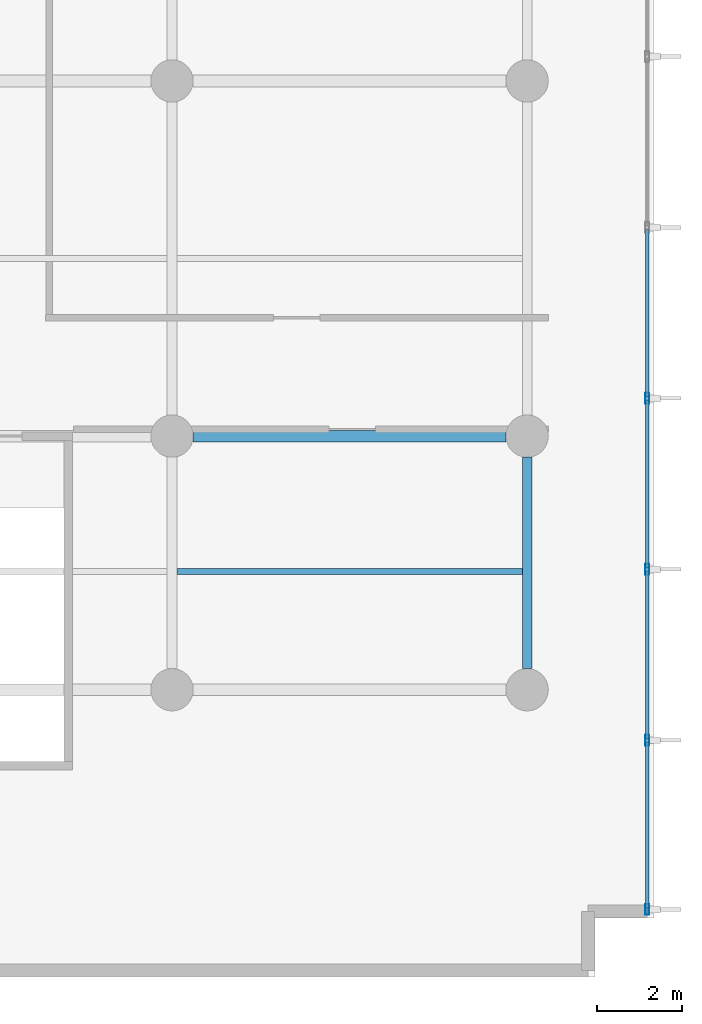
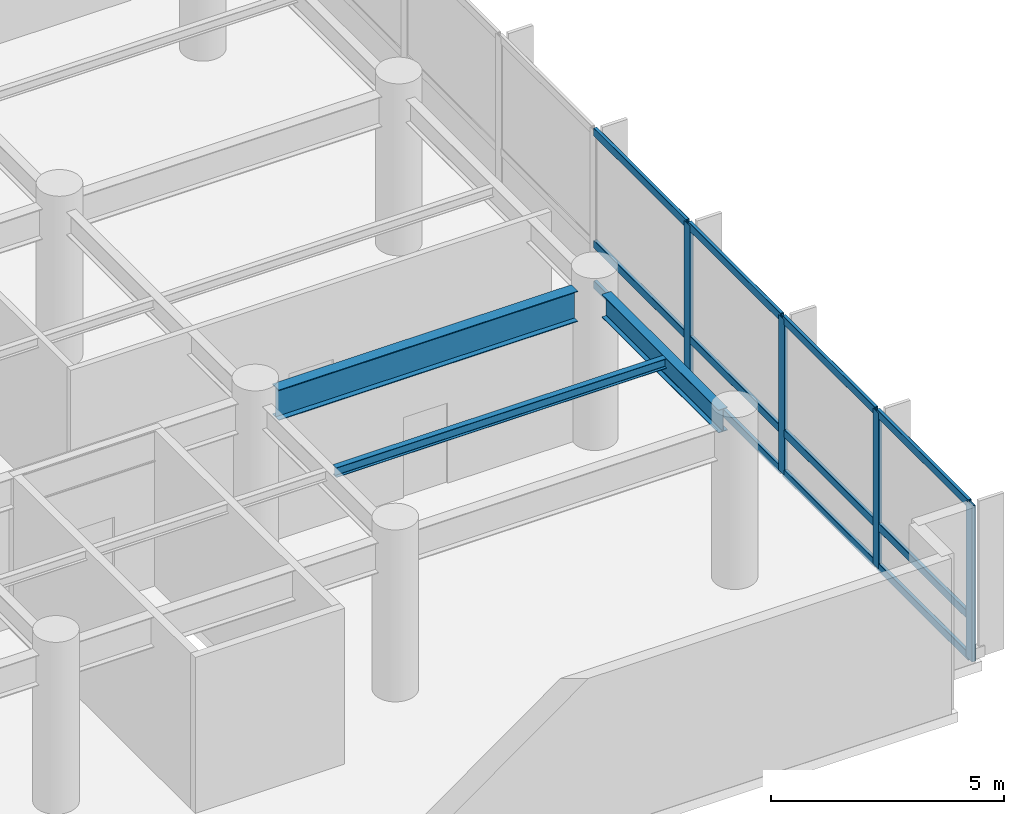
# One storey, part 7 of 23: 16 members, 3 beams, 1 element without a shape of its own.
"""IFC4 building model written with IfcOpenShell, lengths in metres."""

from ifc_helpers import new_model, si_unit, direction, frame, origin, origin_2d, place, context, subcontext, project, spatial, hollow_rectangle, i_section, extrude, material, layer, layer_set, material_profile, profile_set, type_object, element, aggregate, save


model = new_model("IFC4")

# Units and contexts
model_context = context("Model", 3, precision=1e-05, world=origin(), true_north=direction((0.0, 1.0)))
body_context = subcontext(model_context, "Body", "Model", "MODEL_VIEW")
ifc_project = project(units=[si_unit("LENGTHUNIT", "METRE"), si_unit("AREAUNIT", "SQUARE_METRE"), si_unit("VOLUMEUNIT", "CUBIC_METRE"), si_unit("PLANEANGLEUNIT", "RADIAN"), si_unit("MASSUNIT", "GRAM", prefix="KILO")], contexts=[model_context])

# Site, building, storey
site_placement = place(None, origin())
site = spatial("IfcSite", under=ifc_project, at=site_placement, CompositionType="ELEMENT")
building_placement = place(site_placement, origin())
building = spatial("IfcBuilding", under=site, at=building_placement, Name="Varnakote Quay Hospital", CompositionType="ELEMENT")
storey_placement = place(building_placement, frame((0.0, 0.0, 18.0)))
storey = spatial("IfcBuildingStorey", under=building, at=storey_placement, Name="L04", CompositionType="ELEMENT", Elevation=18.0)

# Beams
ifc_material_1 = material(Name="Structural steel AS/NZS 3679.1 Grade 350 L0 (fy 340 MPa)", Category="steel")
ifc_material_profile_1 = material_profile(ifc_material_1, i_section(OverallWidth=0.22802734375, OverallDepth=0.60205078125, WebThickness=0.010498046875, FlangeThickness=0.014892578125, FilletRadius=0.013916015625, at=origin_2d()), Name="610UB101")
ifc_profile_set_1 = profile_set([ifc_material_profile_1], Name="Structural steel AS/NZS 3679.1 Grade 350 L0 (fy 340 MPa)")
beam_type_1 = type_object("IfcBeamType", Name="BM-STL-610UB101", PredefinedType="BEAM", material=ifc_profile_set_1)
beam_1_placement = place(storey_placement, frame((84.0, 6.5, 3.779052734375), z_axis=(0.0, 1.0, 0.0), x_axis=(-1.0, 0.0, 0.0)))
element("IfcBeam", 1, at=beam_1_placement, inside=storey, type_object=beam_type_1, Name="L04 Primary Tie Beam", PredefinedType="BEAM", context=body_context, shape_type="SweptSolid", body=[
    extrude(i_section(OverallWidth=0.22802734375, OverallDepth=0.60205078125, WebThickness=0.010498046875, FlangeThickness=0.014892578125, FilletRadius=0.013916015625, at=origin_2d()), origin(), (0.0, 0.0, 1.0), 5.0),
])
ifc_material_2 = material(Name="Structural steel AS/NZS 3678 Grade 350 (fy 340 MPa)", Category="steel")
ifc_material_profile_2 = material_profile(ifc_material_2, i_section(OverallWidth=0.27490234375, OverallDepth=0.800048828125, WebThickness=0.010009765625, FlangeThickness=0.02001953125, at=origin_2d()), Name="800WB146")
ifc_profile_set_2 = profile_set([ifc_material_profile_2], Name="Structural steel AS/NZS 3678 Grade 350 (fy 340 MPa)")
beam_type_2 = type_object("IfcBeamType", Name="BM-STL-800WB146", PredefinedType="BEAM", material=ifc_profile_set_2)
beam_2_placement = place(storey_placement, frame((76.10009765625, 12.0, 3.679931640625), z_axis=(1.0, 0.0, 0.0), x_axis=(0.0, 1.0, 0.0)))
element("IfcBeam", 2, at=beam_2_placement, inside=storey, type_object=beam_type_2, Name="L04 Plated Composite Transfer Beam", PredefinedType="BEAM", context=body_context, shape_type="SweptSolid", body=[
    extrude(i_section(OverallWidth=0.27490234375, OverallDepth=0.800048828125, WebThickness=0.010009765625, FlangeThickness=0.02001953125, at=origin_2d()), origin(), (0.0, 0.0, 1.0), 7.39990234375),
])

# Curtain wall, members
ifc_material_3 = material(Name="Anodised aluminium 6063-T6 Bronze", Category="aluminium")
ifc_layer = layer(ifc_material_3, 0.175048828125)
ifc_layer_set = layer_set([ifc_layer], Name="Anodised aluminium 6063-T6 Bronze")
curtain_wall_type = type_object("IfcCurtainWallType", Name="CW-SYS-1", PredefinedType="NOTDEFINED", material=ifc_layer_set)
curtain_wall_placement = place(storey_placement, origin())
curtain_wall = element("IfcCurtainWall", 3, at=curtain_wall_placement, inside=storey, type_object=curtain_wall_type, Name="L04 Unitised Bronze Curtain Wall 1", PredefinedType="NOTDEFINED")
ifc_material_4 = material(Name="Anodised aluminium 6063-T6 Bronze", Category="aluminium")
ifc_material_profile_3 = material_profile(ifc_material_4, hollow_rectangle(XDim=0.0849609375, YDim=0.260009765625, WallThickness=0.0048828125, InnerFilletRadius=0.0048828125, OuterFilletRadius=0.010009765625, at=origin_2d()), Name="CW-MULL-260x85")
ifc_profile_set_3 = profile_set([ifc_material_profile_3], Name="Anodised aluminium 6063-T6 Bronze")
member_type_1 = type_object("IfcMemberType", Name="CW-MULL-260x85", PredefinedType="MULLION", material=ifc_profile_set_3)
member_1_placement = place(storey_placement, frame((86.840087890625, 0.802490234375, 0.0), z_axis=(0.0, 0.0, 1.0), x_axis=(-1.0, 0.0, 0.0)))
member_1 = element("IfcMember", 4, at=member_1_placement, type_object=member_type_1, Name="-1-L04-1 mullion 1", PredefinedType="MULLION", context=body_context, shape_type="SweptSolid", body=[
    extrude(hollow_rectangle(XDim=0.0849609375, YDim=0.260009765625, WallThickness=0.0048828125, InnerFilletRadius=0.0048828125, OuterFilletRadius=0.010009765625, at=origin_2d()), origin(), (0.0, 0.0, 1.0), 4.080078125),
])
member_2_placement = place(storey_placement, frame((86.840087890625, 4.8037109375, 0.0), z_axis=(0.0, 0.0, 1.0), x_axis=(-1.0, 0.0, 0.0)))
member_2 = element("IfcMember", 5, at=member_2_placement, type_object=member_type_1, Name="-1-L04-1 mullion 2", PredefinedType="MULLION", context=body_context, shape_type="SweptSolid", body=[
    extrude(hollow_rectangle(XDim=0.0849609375, YDim=0.260009765625, WallThickness=0.0048828125, InnerFilletRadius=0.0048828125, OuterFilletRadius=0.010009765625, at=origin_2d()), origin(), (0.0, 0.0, 1.0), 4.080078125),
])
member_3_placement = place(storey_placement, frame((86.840087890625, 8.84716796875, 0.0), z_axis=(0.0, 0.0, 1.0), x_axis=(-1.0, 0.0, 0.0)))
member_3 = element("IfcMember", 6, at=member_3_placement, type_object=member_type_1, Name="-1-L04-1 mullion 3", PredefinedType="MULLION", context=body_context, shape_type="SweptSolid", body=[
    extrude(hollow_rectangle(XDim=0.0849609375, YDim=0.260009765625, WallThickness=0.0048828125, InnerFilletRadius=0.0048828125, OuterFilletRadius=0.010009765625, at=origin_2d()), origin(), (0.0, 0.0, 1.0), 4.080078125),
])
member_4_placement = place(storey_placement, frame((86.840087890625, 12.890869140625, 0.0), z_axis=(0.0, 0.0, 1.0), x_axis=(-1.0, 0.0, 0.0)))
member_4 = element("IfcMember", 7, at=member_4_placement, type_object=member_type_1, Name="-1-L04-1 mullion 4", PredefinedType="MULLION", context=body_context, shape_type="SweptSolid", body=[
    extrude(hollow_rectangle(XDim=0.0849609375, YDim=0.260009765625, WallThickness=0.0048828125, InnerFilletRadius=0.0048828125, OuterFilletRadius=0.010009765625, at=origin_2d()), origin(), (0.0, 0.0, 1.0), 4.080078125),
])
ifc_material_5 = material(Name="Anodised aluminium 6063-T6 Bronze", Category="aluminium")
ifc_material_profile_4 = material_profile(ifc_material_5, hollow_rectangle(XDim=0.0849609375, YDim=0.2099609375, WallThickness=0.00439453125, InnerFilletRadius=0.00439453125, OuterFilletRadius=0.009033203125, at=origin_2d()), Name="CW-TRAN-210x85")
ifc_profile_set_4 = profile_set([ifc_material_profile_4], Name="Anodised aluminium 6063-T6 Bronze")
member_type_2 = type_object("IfcMemberType", Name="CW-TRAN-210x85", PredefinedType="USERDEFINED", material=ifc_profile_set_4)
member_5_placement = place(storey_placement, frame((86.840087890625, 0.844970703125, 0.04248046875), z_axis=(0.0, 1.0, 0.0), x_axis=(-1.0, 0.0, 0.0)))
member_5 = element("IfcMember", 8, at=member_5_placement, type_object=member_type_2, Name="-1-L04-1 transom 1.1", ObjectType="TRANSOM", PredefinedType="USERDEFINED", context=body_context, shape_type="SweptSolid", body=[
    extrude(hollow_rectangle(XDim=0.0849609375, YDim=0.2099609375, WallThickness=0.00439453125, InnerFilletRadius=0.00439453125, OuterFilletRadius=0.009033203125, at=origin_2d()), origin(), (0.0, 0.0, 1.0), 3.916259765625),
])
member_6_placement = place(storey_placement, frame((86.840087890625, 0.844970703125, 1.10009765625), z_axis=(0.0, 1.0, 0.0), x_axis=(-1.0, 0.0, 0.0)))
member_6 = element("IfcMember", 9, at=member_6_placement, type_object=member_type_2, Name="-1-L04-1 transom 1.2", ObjectType="TRANSOM", PredefinedType="USERDEFINED", context=body_context, shape_type="SweptSolid", body=[
    extrude(hollow_rectangle(XDim=0.0849609375, YDim=0.2099609375, WallThickness=0.00439453125, InnerFilletRadius=0.00439453125, OuterFilletRadius=0.009033203125, at=origin_2d()), origin(), (0.0, 0.0, 1.0), 3.916259765625),
])
member_7_placement = place(storey_placement, frame((86.840087890625, 0.844970703125, 4.03759765625), z_axis=(0.0, 1.0, 0.0), x_axis=(-1.0, 0.0, 0.0)))
member_7 = element("IfcMember", 10, at=member_7_placement, type_object=member_type_2, Name="-1-L04-1 transom 1.3", ObjectType="TRANSOM", PredefinedType="USERDEFINED", context=body_context, shape_type="SweptSolid", body=[
    extrude(hollow_rectangle(XDim=0.0849609375, YDim=0.2099609375, WallThickness=0.00439453125, InnerFilletRadius=0.00439453125, OuterFilletRadius=0.009033203125, at=origin_2d()), origin(), (0.0, 0.0, 1.0), 3.916259765625),
])
member_8_placement = place(storey_placement, frame((86.840087890625, 4.84619140625, 0.04248046875), z_axis=(0.0, 1.0, 0.0), x_axis=(-1.0, 0.0, 0.0)))
member_8 = element("IfcMember", 11, at=member_8_placement, type_object=member_type_2, Name="-1-L04-1 transom 2.1", ObjectType="TRANSOM", PredefinedType="USERDEFINED", context=body_context, shape_type="SweptSolid", body=[
    extrude(hollow_rectangle(XDim=0.0849609375, YDim=0.2099609375, WallThickness=0.00439453125, InnerFilletRadius=0.00439453125, OuterFilletRadius=0.009033203125, at=origin_2d()), origin(), (0.0, 0.0, 1.0), 3.95849609375),
])
member_9_placement = place(storey_placement, frame((86.840087890625, 4.84619140625, 1.10009765625), z_axis=(0.0, 1.0, 0.0), x_axis=(-1.0, 0.0, 0.0)))
member_9 = element("IfcMember", 12, at=member_9_placement, type_object=member_type_2, Name="-1-L04-1 transom 2.2", ObjectType="TRANSOM", PredefinedType="USERDEFINED", context=body_context, shape_type="SweptSolid", body=[
    extrude(hollow_rectangle(XDim=0.0849609375, YDim=0.2099609375, WallThickness=0.00439453125, InnerFilletRadius=0.00439453125, OuterFilletRadius=0.009033203125, at=origin_2d()), origin(), (0.0, 0.0, 1.0), 3.95849609375),
])
member_10_placement = place(storey_placement, frame((86.840087890625, 4.84619140625, 4.03759765625), z_axis=(0.0, 1.0, 0.0), x_axis=(-1.0, 0.0, 0.0)))
member_10 = element("IfcMember", 13, at=member_10_placement, type_object=member_type_2, Name="-1-L04-1 transom 2.3", ObjectType="TRANSOM", PredefinedType="USERDEFINED", context=body_context, shape_type="SweptSolid", body=[
    extrude(hollow_rectangle(XDim=0.0849609375, YDim=0.2099609375, WallThickness=0.00439453125, InnerFilletRadius=0.00439453125, OuterFilletRadius=0.009033203125, at=origin_2d()), origin(), (0.0, 0.0, 1.0), 3.95849609375),
])
member_11_placement = place(storey_placement, frame((86.840087890625, 8.889892578125, 0.04248046875), z_axis=(0.0, 1.0, 0.0), x_axis=(-1.0, 0.0, 0.0)))
member_11 = element("IfcMember", 14, at=member_11_placement, type_object=member_type_2, Name="-1-L04-1 transom 3.1", ObjectType="TRANSOM", PredefinedType="USERDEFINED", context=body_context, shape_type="SweptSolid", body=[
    extrude(hollow_rectangle(XDim=0.0849609375, YDim=0.2099609375, WallThickness=0.00439453125, InnerFilletRadius=0.00439453125, OuterFilletRadius=0.009033203125, at=origin_2d()), origin(), (0.0, 0.0, 1.0), 3.95849609375),
])
member_12_placement = place(storey_placement, frame((86.840087890625, 8.889892578125, 1.10009765625), z_axis=(0.0, 1.0, 0.0), x_axis=(-1.0, 0.0, 0.0)))
member_12 = element("IfcMember", 15, at=member_12_placement, type_object=member_type_2, Name="-1-L04-1 transom 3.2", ObjectType="TRANSOM", PredefinedType="USERDEFINED", context=body_context, shape_type="SweptSolid", body=[
    extrude(hollow_rectangle(XDim=0.0849609375, YDim=0.2099609375, WallThickness=0.00439453125, InnerFilletRadius=0.00439453125, OuterFilletRadius=0.009033203125, at=origin_2d()), origin(), (0.0, 0.0, 1.0), 3.95849609375),
])
member_13_placement = place(storey_placement, frame((86.840087890625, 8.889892578125, 4.03759765625), z_axis=(0.0, 1.0, 0.0), x_axis=(-1.0, 0.0, 0.0)))
member_13 = element("IfcMember", 16, at=member_13_placement, type_object=member_type_2, Name="-1-L04-1 transom 3.3", ObjectType="TRANSOM", PredefinedType="USERDEFINED", context=body_context, shape_type="SweptSolid", body=[
    extrude(hollow_rectangle(XDim=0.0849609375, YDim=0.2099609375, WallThickness=0.00439453125, InnerFilletRadius=0.00439453125, OuterFilletRadius=0.009033203125, at=origin_2d()), origin(), (0.0, 0.0, 1.0), 3.95849609375),
])
member_14_placement = place(storey_placement, frame((86.840087890625, 12.933349609375, 0.04248046875), z_axis=(0.0, 1.0, 0.0), x_axis=(-1.0, 0.0, 0.0)))
member_14 = element("IfcMember", 17, at=member_14_placement, type_object=member_type_2, Name="-1-L04-1 transom 4.1", ObjectType="TRANSOM", PredefinedType="USERDEFINED", context=body_context, shape_type="SweptSolid", body=[
    extrude(hollow_rectangle(XDim=0.0849609375, YDim=0.2099609375, WallThickness=0.00439453125, InnerFilletRadius=0.00439453125, OuterFilletRadius=0.009033203125, at=origin_2d()), origin(), (0.0, 0.0, 1.0), 3.958740234375),
])
member_15_placement = place(storey_placement, frame((86.840087890625, 12.933349609375, 1.10009765625), z_axis=(0.0, 1.0, 0.0), x_axis=(-1.0, 0.0, 0.0)))
member_15 = element("IfcMember", 18, at=member_15_placement, type_object=member_type_2, Name="-1-L04-1 transom 4.2", ObjectType="TRANSOM", PredefinedType="USERDEFINED", context=body_context, shape_type="SweptSolid", body=[
    extrude(hollow_rectangle(XDim=0.0849609375, YDim=0.2099609375, WallThickness=0.00439453125, InnerFilletRadius=0.00439453125, OuterFilletRadius=0.009033203125, at=origin_2d()), origin(), (0.0, 0.0, 1.0), 3.958740234375),
])
member_16_placement = place(storey_placement, frame((86.840087890625, 12.933349609375, 4.03759765625), z_axis=(0.0, 1.0, 0.0), x_axis=(-1.0, 0.0, 0.0)))
member_16 = element("IfcMember", 19, at=member_16_placement, type_object=member_type_2, Name="-1-L04-1 transom 4.3", ObjectType="TRANSOM", PredefinedType="USERDEFINED", context=body_context, shape_type="SweptSolid", body=[
    extrude(hollow_rectangle(XDim=0.0849609375, YDim=0.2099609375, WallThickness=0.00439453125, InnerFilletRadius=0.00439453125, OuterFilletRadius=0.009033203125, at=origin_2d()), origin(), (0.0, 0.0, 1.0), 3.958740234375),
])
aggregate(curtain_wall, [member_1, member_2, member_3, member_4, member_5, member_6, member_7, member_8, member_9, member_10, member_11, member_12, member_13, member_14, member_15, member_16])

# Beam
ifc_material_6 = material(Name="Structural steel AS/NZS 3679.1 Grade 350 L0 (fy 340 MPa)", Category="steel")
ifc_material_profile_5 = material_profile(ifc_material_6, i_section(OverallWidth=0.14599609375, OverallDepth=0.256103515625, WebThickness=0.00634765625, FlangeThickness=0.010986328125, FilletRadius=0.0087890625, at=origin_2d()), Name="250UB37.3")
ifc_profile_set_5 = profile_set([ifc_material_profile_5], Name="Structural steel AS/NZS 3679.1 Grade 350 L0 (fy 340 MPa)")
beam_type_3 = type_object("IfcBeamType", Name="JST-STL-250UB37-3", PredefinedType="JOIST", material=ifc_profile_set_5)
beam_3_placement = place(storey_placement, frame((75.714111328125, 8.800048828125, 3.951904296875), z_axis=(1.0, 0.0, 0.0), x_axis=(0.0, 1.0, 0.0)))
element("IfcBeam", 20, at=beam_3_placement, inside=storey, type_object=beam_type_3, Name="L04 Composite Floor Joist", PredefinedType="JOIST", context=body_context, shape_type="SweptSolid", body=[
    extrude(i_section(OverallWidth=0.14599609375, OverallDepth=0.256103515625, WebThickness=0.00634765625, FlangeThickness=0.010986328125, FilletRadius=0.0087890625, at=origin_2d()), origin(), (0.0, 0.0, 1.0), 8.171875),
])

save(model, "model.ifc")
